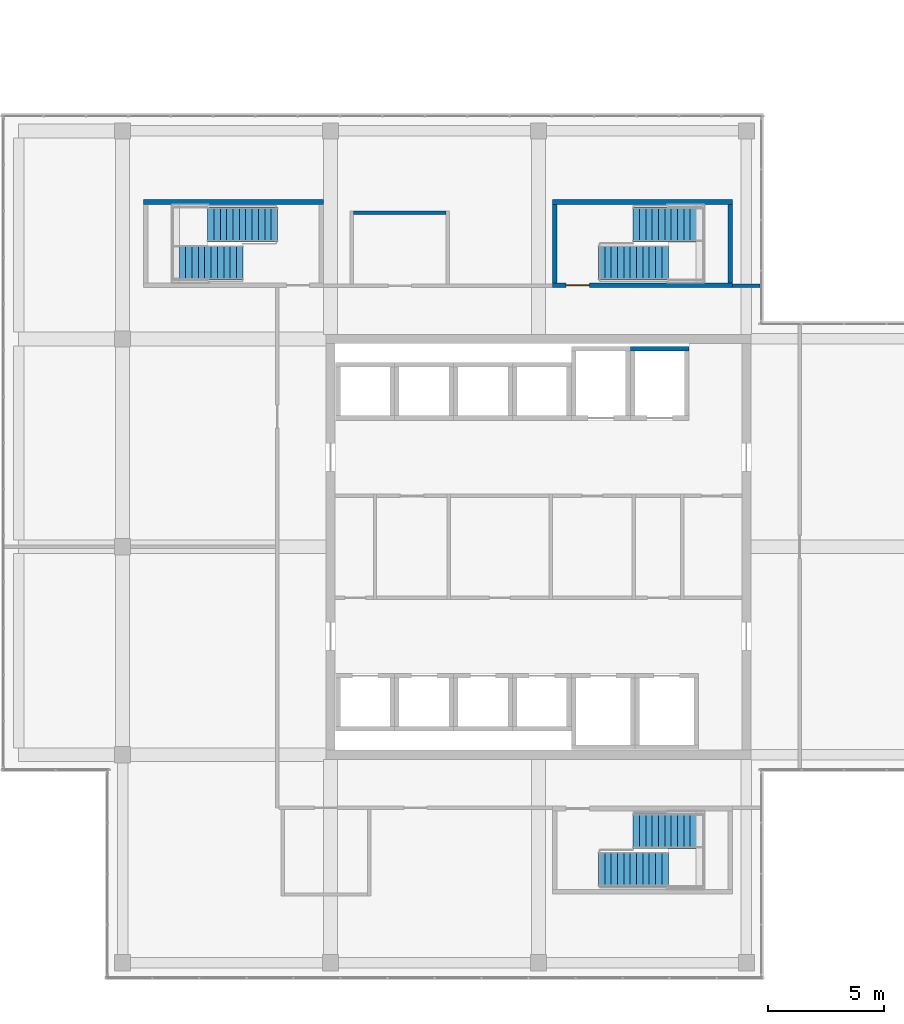
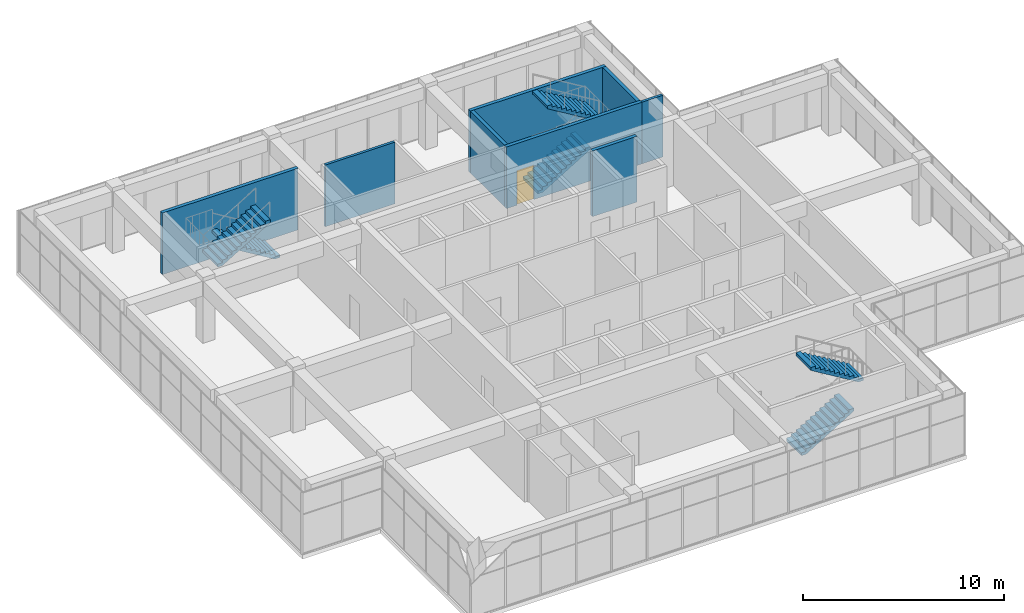
# One storey, part 41 of 43: 8 walls, 6 stair flights, 1 door, 1 opening, 3 elements without a shape of their own.
"""IFC4 building model written with IfcOpenShell, lengths in metres."""

from ifc_helpers import new_model, si_unit, direction, frame, frame_2d, origin, place, context, subcontext, project, spatial, polyline, rectangle, outline, extrude, material, layer, layer_set, type_object, element, fill, aggregate, save


model = new_model("IFC4")

# Units and contexts
model_context = context("Model", 3, precision=1e-05, world=origin(), true_north=direction((0.0, 1.0)))
body_context = subcontext(model_context, "Body", "Model", "MODEL_VIEW")
ifc_project = project(units=[si_unit("LENGTHUNIT", "METRE"), si_unit("AREAUNIT", "SQUARE_METRE"), si_unit("VOLUMEUNIT", "CUBIC_METRE"), si_unit("PLANEANGLEUNIT", "RADIAN"), si_unit("MASSUNIT", "GRAM", prefix="KILO")], contexts=[model_context])

# Site, building, storey
site_placement = place(None, origin())
site = spatial("IfcSite", under=ifc_project, at=site_placement, CompositionType="ELEMENT")
building_placement = place(site_placement, origin())
building = spatial("IfcBuilding", under=site, at=building_placement, Name="Tuart Plaza Theatre", CompositionType="ELEMENT")
storey_placement = place(building_placement, frame((0.0, 0.0, 33.5)))
storey = spatial("IfcBuildingStorey", under=building, at=storey_placement, Name="L08", CompositionType="ELEMENT", Elevation=33.5)

# Walls
ifc_material_1 = material(Name="Masonry block", Category="masonry")
ifc_layer_1 = layer(ifc_material_1, 0.14990234375)
ifc_layer_set_1 = layer_set([ifc_layer_1], Name="PARTITION BLK150 MASONRYB FRL 120/-/-")
wall_type_1 = type_object("IfcWallType", Name="PARTITION BLK150 MASONRYB FRL 120/-/-", PredefinedType="PARTITIONING", material=ifc_layer_set_1)
wall_1_placement = place(storey_placement, frame((140.39990234375, 85.300048828125, 0.0), z_axis=(0.0, 0.0, 1.0), x_axis=(1.0, 0.0, 0.0)))
element("IfcWall", 1, at=wall_1_placement, inside=storey, type_object=wall_type_1, Name="P658", PredefinedType="PARTITIONING", context=body_context, shape_type="SweptSolid", body=[
    extrude(rectangle(XDim=1.2001953125, YDim=0.14990234375, at=frame_2d((0.60009765625, 0.0))), origin(), (0.0, 0.0, 1.0), 3.75),
])
wall_2_placement = place(storey_placement, frame((124.0, 88.449951171875, 0.0), z_axis=(0.0, 0.0, 1.0), x_axis=(1.0, 0.0, 0.0)))
element("IfcWall", 2, at=wall_2_placement, inside=storey, type_object=wall_type_1, Name="P663", PredefinedType="PARTITIONING", context=body_context, shape_type="SweptSolid", body=[
    extrude(rectangle(XDim=4.0, YDim=0.14990234375, at=frame_2d((2.0, 0.0))), origin(), (0.0, 0.0, 1.0), 3.75),
])
ifc_material_2 = material(Name="Concrete N40 (40 MPa)", Category="concrete")
ifc_layer_2 = layer(ifc_material_2, 0.199951171875)
ifc_layer_set_2 = layer_set([ifc_layer_2], Name="SHEAR WALL RC200 FRL 120/120/120")
wall_type_2 = type_object("IfcWallType", Name="SHEAR WALL RC200 FRL 120/120/120", PredefinedType="SHEAR", material=ifc_layer_set_2)
wall_3_placement = place(storey_placement, frame((138.52490234375, 82.574951171875, 0.0), z_axis=(0.0, 0.0, 1.0), x_axis=(-1.0, 0.0, 0.0)))
element("IfcWall", 3, at=wall_3_placement, inside=storey, type_object=wall_type_2, Name="W1276", PredefinedType="SHEAR", context=body_context, shape_type="SweptSolid", body=[
    extrude(rectangle(XDim=2.5498046875, YDim=0.199951171875, at=frame_2d((1.27490234375, 0.0))), origin(), (0.0, 0.0, 1.0), 4.0),
])

# Wall, opening, door
wall_4_placement = place(storey_placement, frame((132.60009765625, 85.324951171875, 0.0), z_axis=(0.0, 0.0, 1.0), x_axis=(1.0, 0.0, 0.0)))
wall_4 = element("IfcWall", 4, at=wall_4_placement, inside=storey, type_object=wall_type_2, Name="P432", PredefinedType="SHEAR", context=body_context, shape_type="SweptSolid", body=[
    extrude(rectangle(XDim=7.7998046875, YDim=0.199951171875, at=frame_2d((3.89990234375, 0.0))), origin(), (0.0, 0.0, 1.0), 3.75),
])
opening_placement = place(wall_4_placement, frame((0.60009765625, 0.0, 0.0)))
opening = element("IfcOpeningElement", 5, at=opening_placement, cuts=wall_4, Name="Opening L08-010", PredefinedType="OPENING", context=body_context, shape_type="SweptSolid", body=[
    extrude(rectangle(XDim=1.0, YDim=2.10009765625, at=frame_2d((0.5, 1.050048828125))), frame((0.0, 0.10986328125, 0.0), z_axis=(0.0, -1.0, 0.0), x_axis=(1.0, 0.0, 0.0)), (0.0, 0.0, 1.0), 0.219970703125),
])
ifc_material_3 = material(Name="Steel Grade 300", Category="steel")
door_type = type_object("IfcDoorType", Name="DOOR 1000x2100 steel single swing FRL -/120/30", OperationType="SINGLE_SWING_LEFT", PredefinedType="DOOR", material=ifc_material_3)
door_placement = place(opening_placement, origin())
door = element("IfcDoor", 6, at=door_placement, inside=storey, type_object=door_type, Name="L08-010", OperationType="SINGLE_SWING_RIGHT", OverallHeight=2.10009765625, OverallWidth=1.0, PredefinedType="DOOR", context=body_context, shape_type="SweptSolid", body=[
    extrude(rectangle(XDim=1.0, YDim=2.10009765625, at=frame_2d((0.5, 1.050048828125))), frame((0.0, 0.02490234375, 0.0), z_axis=(0.0, -1.0, 0.0), x_axis=(1.0, 0.0, 0.0)), (0.0, 0.0, 1.0), 0.050048828125),
])
fill(opening, door)

# Walls
wall_5_placement = place(storey_placement, frame((140.300048828125, 85.425048828125, 0.0), z_axis=(0.0, 0.0, 1.0), x_axis=(0.0, 1.0, 0.0)))
element("IfcWall", 7, at=wall_5_placement, inside=storey, type_object=wall_type_2, Name="P433", PredefinedType="SHEAR", context=body_context, shape_type="SweptSolid", body=[
    extrude(rectangle(XDim=3.39990234375, YDim=0.199951171875, at=frame_2d((1.699951171875, 0.0))), origin(), (0.0, 0.0, 1.0), 3.75),
])
wall_6_placement = place(storey_placement, frame((140.39990234375, 88.925048828125, 0.0), z_axis=(0.0, 0.0, 1.0), x_axis=(-1.0, 0.0, 0.0)))
element("IfcWall", 8, at=wall_6_placement, inside=storey, type_object=wall_type_2, Name="P434", PredefinedType="SHEAR", context=body_context, shape_type="SweptSolid", body=[
    extrude(rectangle(XDim=7.7998046875, YDim=0.199951171875, at=frame_2d((3.89990234375, 0.0))), origin(), (0.0, 0.0, 1.0), 3.75),
])
wall_7_placement = place(storey_placement, frame((132.699951171875, 88.824951171875, 0.0), z_axis=(0.0, 0.0, 1.0), x_axis=(0.0, -1.0, 0.0)))
element("IfcWall", 9, at=wall_7_placement, inside=storey, type_object=wall_type_2, Name="P435", PredefinedType="SHEAR", context=body_context, shape_type="SweptSolid", body=[
    extrude(rectangle(XDim=3.39990234375, YDim=0.199951171875, at=frame_2d((1.699951171875, 0.0))), origin(), (0.0, 0.0, 1.0), 3.75),
])
wall_8_placement = place(storey_placement, frame((122.699951171875, 88.925048828125, 0.0), z_axis=(0.0, 0.0, 1.0), x_axis=(-1.0, 0.0, 0.0)))
element("IfcWall", 10, at=wall_8_placement, inside=storey, type_object=wall_type_2, Name="P462", PredefinedType="SHEAR", context=body_context, shape_type="SweptSolid", body=[
    extrude(rectangle(XDim=7.800048828125, YDim=0.199951171875, at=frame_2d((3.89990234375, 0.0))), origin(), (0.0, 0.0, 1.0), 3.75),
])

# Stair, stair flights
ifc_material_4 = material(Name="Concrete N40 (40 MPa)", Category="concrete")
stair_type = type_object("IfcStairType", Name="STAIR half turn 1500", PredefinedType="HALF_TURN_STAIR", material=ifc_material_4)
stair_1_placement = place(storey_placement, origin())
stair_1 = element("IfcStair", 11, at=stair_1_placement, inside=storey, type_object=stair_type, Name="SC-4", PredefinedType="HALF_TURN_STAIR")
ifc_material_5 = material(Name="Concrete N40 (40 MPa)", Category="concrete")
stair_flight_type = type_object("IfcStairFlightType", Name="STAIR FLIGHT 166.7 275 1500", PredefinedType="STRAIGHT", material=ifc_material_5)
stair_flight_1_placement = place(storey_placement, frame((134.594970703125, 60.050048828125, 0.0), z_axis=(0.0, 0.0, 1.0), x_axis=(1.0, 0.0, 0.0)))
stair_flight_1 = element("IfcStairFlight", 12, at=stair_flight_1_placement, type_object=stair_flight_type, Name="SC-4 flight 1", NumberOfRisers=12, NumberOfTreads=11, PredefinedType="STRAIGHT", RiserHeight=0.166666667, TreadLength=0.275, context=body_context, shape_type="SweptSolid", body=[
    extrude(outline(polyline([(0.0, 0.0), (0.0, 0.166748046875), (0.27490234375, 0.166748046875), (0.27490234375, 0.333251953125), (0.550048828125, 0.333251953125), (0.550048828125, 0.5), (0.824951171875, 0.5), (0.824951171875, 0.666748046875), (1.10009765625, 0.666748046875), (1.10009765625, 0.833251953125), (1.375, 0.833251953125), (1.375, 1.0), (1.64990234375, 1.0), (1.64990234375, 1.166748046875), (1.925048828125, 1.166748046875), (1.925048828125, 1.333251953125), (2.199951171875, 1.333251953125), (2.199951171875, 1.5), (2.47509765625, 1.5), (2.47509765625, 1.666748046875), (2.75, 1.666748046875), (2.75, 1.833251953125), (3.02490234375, 1.833251953125), (3.02490234375, 2.0), (3.02490234375, 1.657958984375), (0.289306640625, 0.0), (0.0, 0.0)])), frame((0.0, 0.75, 0.0), z_axis=(0.0, -1.0, 0.0), x_axis=(1.0, 0.0, 0.0)), (0.0, 0.0, 1.0), 1.5),
])
stair_flight_2_placement = place(storey_placement, frame((139.1201171875, 61.699951171875, 2.0), z_axis=(0.0, 0.0, 1.0), x_axis=(-1.0, 0.0, 0.0)))
stair_flight_2 = element("IfcStairFlight", 13, at=stair_flight_2_placement, type_object=stair_flight_type, Name="SC-4 flight 2", NumberOfRisers=12, NumberOfTreads=11, PredefinedType="STRAIGHT", RiserHeight=0.166666667, TreadLength=0.275, context=body_context, shape_type="SweptSolid", body=[
    extrude(outline(polyline([(0.0, 0.0), (0.0, 0.166748046875), (0.27490234375, 0.166748046875), (0.27490234375, 0.333251953125), (0.550048828125, 0.333251953125), (0.550048828125, 0.5), (0.824951171875, 0.5), (0.824951171875, 0.666748046875), (1.10009765625, 0.666748046875), (1.10009765625, 0.833251953125), (1.375, 0.833251953125), (1.375, 1.0), (1.64990234375, 1.0), (1.64990234375, 1.166748046875), (1.925048828125, 1.166748046875), (1.925048828125, 1.333251953125), (2.199951171875, 1.333251953125), (2.199951171875, 1.5), (2.47509765625, 1.5), (2.47509765625, 1.666748046875), (2.75, 1.666748046875), (2.75, 1.833251953125), (3.02490234375, 1.833251953125), (3.02490234375, 2.0), (3.02490234375, 1.657958984375), (0.289306640625, 0.0), (0.0, 0.0)])), frame((0.0, 0.75, 0.0), z_axis=(0.0, -1.0, 0.0), x_axis=(1.0, 0.0, 0.0)), (0.0, 0.0, 1.0), 1.5),
])
aggregate(stair_1, [stair_flight_1, stair_flight_2])

stair_2_placement = place(storey_placement, origin())
stair_2 = element("IfcStair", 14, at=stair_2_placement, inside=storey, type_object=stair_type, Name="SC-10", PredefinedType="HALF_TURN_STAIR")
stair_flight_3_placement = place(storey_placement, frame((134.594970703125, 86.300048828125, 0.0), z_axis=(0.0, 0.0, 1.0), x_axis=(1.0, 0.0, 0.0)))
stair_flight_3 = element("IfcStairFlight", 15, at=stair_flight_3_placement, type_object=stair_flight_type, Name="SC-10 flight 1", NumberOfRisers=12, NumberOfTreads=11, PredefinedType="STRAIGHT", RiserHeight=0.166666667, TreadLength=0.275, context=body_context, shape_type="SweptSolid", body=[
    extrude(outline(polyline([(0.0, 0.0), (0.0, 0.166748046875), (0.27490234375, 0.166748046875), (0.27490234375, 0.333251953125), (0.550048828125, 0.333251953125), (0.550048828125, 0.5), (0.824951171875, 0.5), (0.824951171875, 0.666748046875), (1.10009765625, 0.666748046875), (1.10009765625, 0.833251953125), (1.375, 0.833251953125), (1.375, 1.0), (1.64990234375, 1.0), (1.64990234375, 1.166748046875), (1.925048828125, 1.166748046875), (1.925048828125, 1.333251953125), (2.199951171875, 1.333251953125), (2.199951171875, 1.5), (2.47509765625, 1.5), (2.47509765625, 1.666748046875), (2.75, 1.666748046875), (2.75, 1.833251953125), (3.02490234375, 1.833251953125), (3.02490234375, 2.0), (3.02490234375, 1.657958984375), (0.289306640625, 0.0), (0.0, 0.0)])), frame((0.0, 0.75, 0.0), z_axis=(0.0, -1.0, 0.0), x_axis=(1.0, 0.0, 0.0)), (0.0, 0.0, 1.0), 1.5),
])
stair_flight_4_placement = place(storey_placement, frame((139.1201171875, 87.949951171875, 2.0), z_axis=(0.0, 0.0, 1.0), x_axis=(-1.0, 0.0, 0.0)))
stair_flight_4 = element("IfcStairFlight", 16, at=stair_flight_4_placement, type_object=stair_flight_type, Name="SC-10 flight 2", NumberOfRisers=12, NumberOfTreads=11, PredefinedType="STRAIGHT", RiserHeight=0.166666667, TreadLength=0.275, context=body_context, shape_type="SweptSolid", body=[
    extrude(outline(polyline([(0.0, 0.0), (0.0, 0.166748046875), (0.27490234375, 0.166748046875), (0.27490234375, 0.333251953125), (0.550048828125, 0.333251953125), (0.550048828125, 0.5), (0.824951171875, 0.5), (0.824951171875, 0.666748046875), (1.10009765625, 0.666748046875), (1.10009765625, 0.833251953125), (1.375, 0.833251953125), (1.375, 1.0), (1.64990234375, 1.0), (1.64990234375, 1.166748046875), (1.925048828125, 1.166748046875), (1.925048828125, 1.333251953125), (2.199951171875, 1.333251953125), (2.199951171875, 1.5), (2.47509765625, 1.5), (2.47509765625, 1.666748046875), (2.75, 1.666748046875), (2.75, 1.833251953125), (3.02490234375, 1.833251953125), (3.02490234375, 2.0), (3.02490234375, 1.657958984375), (0.289306640625, 0.0), (0.0, 0.0)])), frame((0.0, 0.75, 0.0), z_axis=(0.0, -1.0, 0.0), x_axis=(1.0, 0.0, 0.0)), (0.0, 0.0, 1.0), 1.5),
])
aggregate(stair_2, [stair_flight_3, stair_flight_4])

stair_3_placement = place(storey_placement, origin())
stair_3 = element("IfcStair", 17, at=stair_3_placement, inside=storey, type_object=stair_type, Name="SC-16", PredefinedType="HALF_TURN_STAIR")
stair_flight_5_placement = place(storey_placement, frame((120.705078125, 87.949951171875, 0.0), z_axis=(0.0, 0.0, 1.0), x_axis=(-1.0, 0.0, 0.0)))
stair_flight_5 = element("IfcStairFlight", 18, at=stair_flight_5_placement, type_object=stair_flight_type, Name="SC-16 flight 1", NumberOfRisers=12, NumberOfTreads=11, PredefinedType="STRAIGHT", RiserHeight=0.166666667, TreadLength=0.275, context=body_context, shape_type="SweptSolid", body=[
    extrude(outline(polyline([(0.0, 0.0), (0.0, 0.166748046875), (0.27490234375, 0.166748046875), (0.27490234375, 0.333251953125), (0.550048828125, 0.333251953125), (0.550048828125, 0.5), (0.824951171875, 0.5), (0.824951171875, 0.666748046875), (1.10009765625, 0.666748046875), (1.10009765625, 0.833251953125), (1.375, 0.833251953125), (1.375, 1.0), (1.64990234375, 1.0), (1.64990234375, 1.166748046875), (1.925048828125, 1.166748046875), (1.925048828125, 1.333251953125), (2.199951171875, 1.333251953125), (2.199951171875, 1.5), (2.47509765625, 1.5), (2.47509765625, 1.666748046875), (2.75, 1.666748046875), (2.75, 1.833251953125), (3.02490234375, 1.833251953125), (3.02490234375, 2.0), (3.02490234375, 1.657958984375), (0.289306640625, 0.0), (0.0, 0.0)])), frame((0.0, 0.75, 0.0), z_axis=(0.0, -1.0, 0.0), x_axis=(1.0, 0.0, 0.0)), (0.0, 0.0, 1.0), 1.5),
])
stair_flight_6_placement = place(storey_placement, frame((116.179931640625, 86.300048828125, 2.0), z_axis=(0.0, 0.0, 1.0), x_axis=(1.0, 0.0, 0.0)))
stair_flight_6 = element("IfcStairFlight", 19, at=stair_flight_6_placement, type_object=stair_flight_type, Name="SC-16 flight 2", NumberOfRisers=12, NumberOfTreads=11, PredefinedType="STRAIGHT", RiserHeight=0.166666667, TreadLength=0.275, context=body_context, shape_type="SweptSolid", body=[
    extrude(outline(polyline([(0.0, 0.0), (0.0, 0.166748046875), (0.27490234375, 0.166748046875), (0.27490234375, 0.333251953125), (0.550048828125, 0.333251953125), (0.550048828125, 0.5), (0.824951171875, 0.5), (0.824951171875, 0.666748046875), (1.10009765625, 0.666748046875), (1.10009765625, 0.833251953125), (1.375, 0.833251953125), (1.375, 1.0), (1.64990234375, 1.0), (1.64990234375, 1.166748046875), (1.925048828125, 1.166748046875), (1.925048828125, 1.333251953125), (2.199951171875, 1.333251953125), (2.199951171875, 1.5), (2.47509765625, 1.5), (2.47509765625, 1.666748046875), (2.75, 1.666748046875), (2.75, 1.833251953125), (3.02490234375, 1.833251953125), (3.02490234375, 2.0), (3.02490234375, 1.657958984375), (0.289306640625, 0.0), (0.0, 0.0)])), frame((0.0, 0.75, 0.0), z_axis=(0.0, -1.0, 0.0), x_axis=(1.0, 0.0, 0.0)), (0.0, 0.0, 1.0), 1.5),
])
aggregate(stair_3, [stair_flight_5, stair_flight_6])

save(model, "model.ifc")
